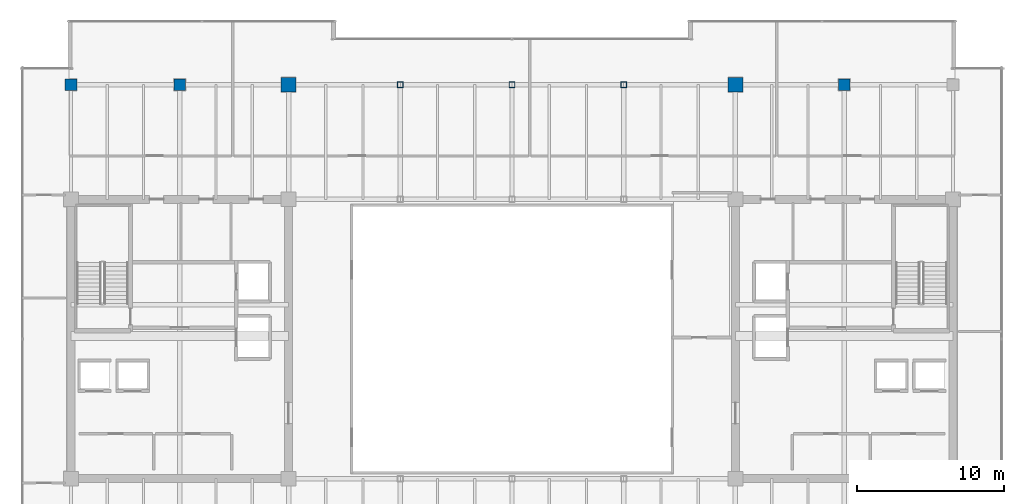
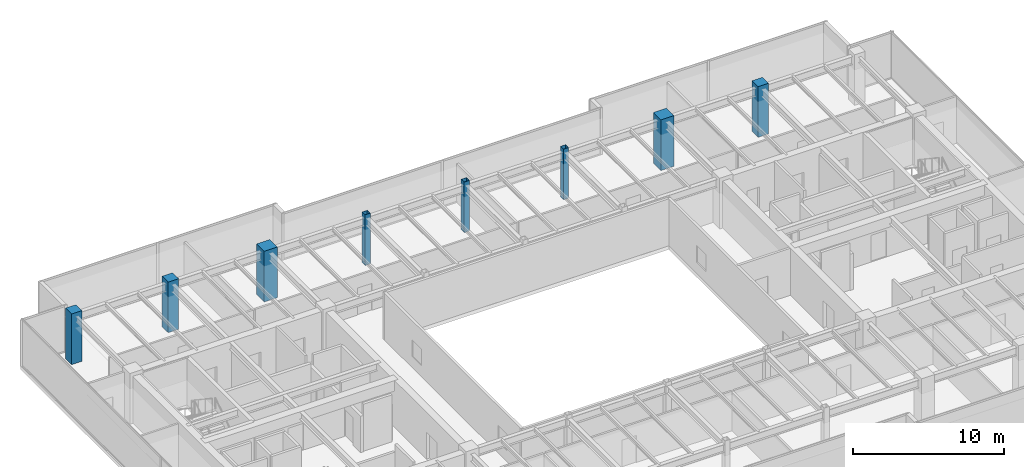
# One storey, part 3 of 35: 8 columns.
"""IFC4 building model written with IfcOpenShell, lengths in metres."""

import ifcopenshell
import ifcopenshell.guid

model = None  # the IFC model being written
_history = None  # IfcOwnerHistory: only IFC2X3 demands one
_inside = {}  # id of a spatial element -> (the spatial element, [elements in it])
_under = {}  # id of a project, library or spatial element -> (it, [spatial elements below it])
_declared = {}  # id of a project -> (the project, [libraries it declares])
_typed = {}  # id of a type object -> (the type object, [elements of that type])
_made_of = {}  # id of a material, layer set ... -> (it, [elements and type objects made of it])


def new_model(schema):
    """Start an empty IFC model of exactly this schema.

    Asked for "IFC4X3", IfcOpenShell would pick the latest addendum, in which some entities
    have other attributes; the version numbers below select the first issue.
    IFC2X3 requires an IfcOwnerHistory on every rooted entity: one is made here for all.
    """
    global model, _history
    if schema == "IFC4X3":
        model = ifcopenshell.file(schema_version=(4, 3, 0, 0))
    else:
        model = ifcopenshell.file(schema=schema)
    _inside.clear()
    _under.clear()
    _declared.clear()
    _typed.clear()
    _made_of.clear()
    _history = None
    if model.schema == "IFC2X3":
        org = make("IfcOrganization", Name="unknown")
        user = make(
            "IfcPersonAndOrganization",
            ThePerson=make("IfcPerson", FamilyName="unknown"),
            TheOrganization=org,
        )
        app = make(
            "IfcApplication",
            ApplicationDeveloper=org,
            Version="unknown",
            ApplicationFullName="unknown",
            ApplicationIdentifier="unknown",
        )
        _history = make(
            "IfcOwnerHistory",
            OwningUser=user,
            OwningApplication=app,
            ChangeAction="ADDED",
            CreationDate=0,
        )
    return model


def make(cls, **values):
    """One entity of the class cls with the attributes given. An attribute that is None is left unset."""
    return model.create_entity(
        cls, **{name: value for name, value in values.items() if value is not None}
    )


def rooted(cls, **values):
    """An entity with a GlobalId (a new one), such as an element, a storey or a relation."""
    return make(cls, GlobalId=ifcopenshell.guid.new(), OwnerHistory=_history, **values)


def si_unit(unit_type, name, prefix=None):
    """IfcSIUnit, for example si_unit("LENGTHUNIT", "METRE", prefix="MILLI")."""
    return make("IfcSIUnit", UnitType=unit_type, Prefix=prefix, Name=name)


def assignment(units):
    """IfcUnitAssignment: the units of a project."""
    return None if units is None else make("IfcUnitAssignment", Units=units)


def point(xyz):
    """IfcCartesianPoint."""
    return None if xyz is None else make("IfcCartesianPoint", Coordinates=xyz)


def direction(xyz):
    """IfcDirection."""
    return None if xyz is None else make("IfcDirection", DirectionRatios=xyz)


def frame(location, z_axis=None, x_axis=None):
    """IfcAxis2Placement3D, a coordinate frame: its origin and axes. An axis left out is left unset."""
    return make(
        "IfcAxis2Placement3D",
        Location=point(location),
        Axis=direction(z_axis),
        RefDirection=direction(x_axis),
    )


def frame_2d(location, x_axis=None):
    """IfcAxis2Placement2D, a coordinate frame in the plane: its origin and x axis."""
    return make(
        "IfcAxis2Placement2D", Location=point(location), RefDirection=direction(x_axis)
    )


def origin():
    """The frame at (0, 0, 0) with its axes left unset."""
    return frame((0.0, 0.0, 0.0))


def origin_2d():
    """The frame at (0, 0) in the plane with its x axis left unset."""
    return frame_2d((0.0, 0.0))


def place(relative_to, where):
    """IfcLocalPlacement: puts the frame where relative to a parent placement (None: the world)."""
    return make(
        "IfcLocalPlacement", PlacementRelTo=relative_to, RelativePlacement=where
    )


def context(
    kind, dimensions, precision=None, world=None, true_north=None, identifier=None
):
    """IfcGeometricRepresentationContext, for example the 3D "Model" context."""
    return make(
        "IfcGeometricRepresentationContext",
        ContextIdentifier=identifier,
        ContextType=kind,
        CoordinateSpaceDimension=dimensions,
        Precision=precision,
        WorldCoordinateSystem=world,
        TrueNorth=true_north,
    )


def subcontext(parent, identifier, kind, view, scale=None):
    """IfcGeometricRepresentationSubContext, for example "Body" below "Model"."""
    return make(
        "IfcGeometricRepresentationSubContext",
        ContextIdentifier=identifier,
        ContextType=kind,
        ParentContext=parent,
        TargetScale=scale,
        TargetView=view,
    )


def project(units=None, contexts=None):
    """IfcProject with its units and contexts."""
    return rooted(
        "IfcProject",
        Name="project",
        RepresentationContexts=contexts,
        UnitsInContext=assignment(units),
    )


def spatial(cls, under=None, at=None, **own):
    """A site, building, storey or space (cls), placed at a placement, below another one or the project."""
    s = rooted(cls, ObjectPlacement=at, **own)
    if under is not None:
        _under.setdefault(under.id(), (under, []))[1].append(s)
    return s


def profile(cls, at=None, kind="AREA", **sizes):
    """A parametric profile (cls). Its sizes go by their IFC names, for example OverallWidth=200.0."""
    return make(cls, ProfileType=kind, Position=at, **sizes)


def rectangle(**sizes):
    """IfcRectangleProfileDef."""
    return profile("IfcRectangleProfileDef", **sizes)


def hollow_rectangle(**sizes):
    """IfcRectangleHollowProfileDef."""
    return profile("IfcRectangleHollowProfileDef", **sizes)


def extrude(swept, where, along, depth):
    """IfcExtrudedAreaSolid: the profile swept, set in the frame where, extruded along a direction by depth."""
    return make(
        "IfcExtrudedAreaSolid",
        SweptArea=swept,
        Position=where,
        ExtrudedDirection=direction(along),
        Depth=depth,
    )


def shape(context_of_items, identifier, shape_type, items):
    """IfcShapeRepresentation: the items that make up one representation, for example the "Body"."""
    return make(
        "IfcShapeRepresentation",
        ContextOfItems=context_of_items,
        RepresentationIdentifier=identifier,
        RepresentationType=shape_type,
        Items=items,
    )


def source(mapping_origin, context_of_items, identifier, shape_type, items):
    """IfcRepresentationMap: a shape defined once, which mapped items show again and again."""
    return make(
        "IfcRepresentationMap",
        MappingOrigin=mapping_origin,
        MappedRepresentation=shape(context_of_items, identifier, shape_type, items),
    )


def transform(
    local_origin,
    x_axis=None,
    y_axis=None,
    z_axis=None,
    scale=None,
    scale2=None,
    scale3=None,
    uniform=True,
):
    """IfcCartesianTransformationOperator3D, or its non-uniform kind. x_axis, y_axis, z_axis: its Axis1, 2, 3."""
    if uniform:
        return make(
            "IfcCartesianTransformationOperator3D",
            Axis1=direction(x_axis),
            Axis2=direction(y_axis),
            LocalOrigin=point(local_origin),
            Scale=scale,
            Axis3=direction(z_axis),
        )
    return make(
        "IfcCartesianTransformationOperator3DnonUniform",
        Axis1=direction(x_axis),
        Axis2=direction(y_axis),
        LocalOrigin=point(local_origin),
        Scale=scale,
        Axis3=direction(z_axis),
        Scale2=scale2,
        Scale3=scale3,
    )


def mapped(mapping_source, mapping_target):
    """IfcMappedItem: shows the shape of a source again, moved by a transform."""
    return make(
        "IfcMappedItem", MappingSource=mapping_source, MappingTarget=mapping_target
    )


def material(Name=None, Category=None):
    """IfcMaterial."""
    return make("IfcMaterial", Name=Name, Category=Category)


def material_profile(
    of_material, cross_section, Name=None, Category=None, Priority=None
):
    """IfcMaterialProfile: a cross section and its material."""
    return make(
        "IfcMaterialProfile",
        Name=Name,
        Material=of_material,
        Profile=cross_section,
        Priority=Priority,
        Category=Category,
    )


def profile_set(profiles, Name=None, composite=None):
    """IfcMaterialProfileSet."""
    return make(
        "IfcMaterialProfileSet",
        Name=Name,
        MaterialProfiles=profiles,
        CompositeProfile=composite,
    )


def made_of(thing, what):
    """Note that an element or type object is made of a material, layer set ...; save() writes the relation."""
    if what is not None:
        _made_of.setdefault(what.id(), (what, []))[1].append(thing)
    return thing


def type_object(cls, material=None, **own):
    """A type object (cls), such as IfcWallType, which elements share."""
    return made_of(rooted(cls, **own), material)


def type_shapes(of_type, sources):
    """Give a type object the sources (RepresentationMaps) that its elements show as mapped items."""
    of_type.RepresentationMaps = sources


def element(
    cls,
    number,
    at=None,
    inside=None,
    cuts=None,
    type_object=None,
    material=None,
    context=None,
    identifier="Body",
    shape_type=None,
    held_by="IfcProductDefinitionShape",
    body=None,
    shapes=None,
    **own,
):
    """One element of the class cls, such as IfcWall. Its Tag is "e" and its number.

    at: its placement. inside: the storey or other place that contains it. cuts: it is an
    opening in that element (IfcRelVoidsElement). A single representation is given by context,
    identifier, shape_type and body (its items); several are given by shapes. held_by: the class
    of the entity that holds the representations. save() writes the other relations.
    """
    e = rooted(cls, Tag="e%d" % number, ObjectPlacement=at, **own)
    if body is not None:
        shapes = [shape(context, identifier, shape_type, body)]
    if shapes is not None:
        e.Representation = make(held_by, Representations=shapes)
    if inside is not None:
        _inside.setdefault(inside.id(), (inside, []))[1].append(e)
    if cuts is not None:
        rooted(
            "IfcRelVoidsElement", RelatingBuildingElement=cuts, RelatedOpeningElement=e
        )
    if type_object is not None:
        _typed.setdefault(type_object.id(), (type_object, []))[1].append(e)
    return made_of(e, material)


def aggregate(whole, parts):
    """IfcRelAggregates: a whole, such as a stair, and the parts it consists of."""
    return rooted("IfcRelAggregates", RelatingObject=whole, RelatedObjects=parts)


def save(model, path):
    """Write the relations noted so far, then the file.

    IfcRelAggregates (storeys below a building ...), IfcRelContainedInSpatialStructure (elements
    in a storey), IfcRelDefinesByType, IfcRelAssociatesMaterial and IfcRelDeclares: one each for
    every whole, place, type object, material and project.
    """
    for whole, parts in _under.values():
        aggregate(whole, parts)
    for where, things in _inside.values():
        rooted(
            "IfcRelContainedInSpatialStructure",
            RelatedElements=things,
            RelatingStructure=where,
        )
    for kind, things in _typed.values():
        rooted("IfcRelDefinesByType", RelatedObjects=things, RelatingType=kind)
    for what, things in _made_of.values():
        rooted("IfcRelAssociatesMaterial", RelatedObjects=things, RelatingMaterial=what)
    for by, libraries in _declared.values():
        rooted("IfcRelDeclares", RelatingContext=by, RelatedDefinitions=libraries)
    model.write(path)


model = new_model("IFC4")

# Units and contexts
model_context = context("Model", 3, precision=1e-05, world=origin(), true_north=direction((0.0, 1.0)))
body_context = subcontext(model_context, "Body", "Model", "MODEL_VIEW")
ifc_project = project(units=[si_unit("LENGTHUNIT", "METRE"), si_unit("AREAUNIT", "SQUARE_METRE"), si_unit("VOLUMEUNIT", "CUBIC_METRE"), si_unit("PLANEANGLEUNIT", "RADIAN"), si_unit("MASSUNIT", "GRAM", prefix="KILO")], contexts=[model_context])

# Site, building, storey
site_placement = place(None, origin())
site = spatial("IfcSite", under=ifc_project, at=site_placement, CompositionType="ELEMENT")
building_placement = place(site_placement, origin())
building = spatial("IfcBuilding", under=site, at=building_placement, Name="Haelvirn Gate Laboratories", CompositionType="ELEMENT")
storey_placement = place(building_placement, frame((0.0, 0.0, 221.89990234375)))
storey = spatial("IfcBuildingStorey", under=building, at=storey_placement, Name="L53", CompositionType="ELEMENT", Elevation=221.89990234375)

# Columns
ifc_material_1 = material(Name="Concrete C60/75", Category="concrete")
ifc_material_profile_1 = material_profile(ifc_material_1, rectangle(XDim=1.0, YDim=1.0, at=origin_2d()), Name="RC-1000x1000")
ifc_profile_set_1 = profile_set([ifc_material_profile_1], Name="Concrete C60/75")
column_type_1 = type_object("IfcColumnType", Name="COL-RC-1000", PredefinedType="COLUMN", material=ifc_profile_set_1)
shared_shape_1 = source(origin(), body_context, "Body", "SweptSolid", [
    extrude(rectangle(XDim=1.0, YDim=1.0, at=origin_2d()), origin(), (0.0, 0.0, 1.0), 4.10009765625),
])
type_shapes(column_type_1, [shared_shape_1])
for number, where, z_axis, x_axis, name in (
    (1, (22.199951171875, 41.60009765625, 0.0), (0.0, 0.0, 1.0), (1.0, 0.0, 0.0), "L53 Column 4G"),
    (2, (52.60009765625, 41.60009765625, 0.0), (0.0, 0.0, 1.0), (1.0, 0.0, 0.0), "L53 Column 8G"),
):
    element("IfcColumn", number, at=place(storey_placement, frame(where, z_axis=z_axis, x_axis=x_axis)), inside=storey, type_object=column_type_1, Name=name, PredefinedType="COLUMN", context=body_context, shape_type="MappedRepresentation", body=[
        mapped(shared_shape_1, transform((0.0, 0.0, 0.0), scale=1.0)),
    ])
ifc_material_2 = material(Name="Concrete C50/60", Category="concrete")
ifc_material_profile_2 = material_profile(ifc_material_2, rectangle(XDim=0.800048828125, YDim=0.800048828125, at=origin_2d()), Name="RC-800x800")
ifc_profile_set_2 = profile_set([ifc_material_profile_2], Name="Concrete C50/60")
column_type_2 = type_object("IfcColumnType", Name="COL-RC-800", PredefinedType="COLUMN", material=ifc_profile_set_2)
shared_shape_2 = source(origin(), body_context, "Body", "SweptSolid", [
    extrude(rectangle(XDim=0.800048828125, YDim=0.800048828125, at=origin_2d()), origin(), (0.0, 0.0, 1.0), 4.10009765625),
])
type_shapes(column_type_2, [shared_shape_2])
for number, where, z_axis, x_axis, name in (
    (3, (14.800048828125, 41.60009765625, 0.0), (0.0, 0.0, 1.0), (1.0, 0.0, 0.0), "L53 Column 3G"),
    (4, (60.0, 41.60009765625, 0.0), (0.0, 0.0, 1.0), (1.0, 0.0, 0.0), "L53 Column 9G"),
    (5, (7.39990234375, 41.60009765625, 0.0), (0.0, 0.0, 1.0), (1.0, 0.0, 0.0), "L53 Column 2G"),
):
    element("IfcColumn", number, at=place(storey_placement, frame(where, z_axis=z_axis, x_axis=x_axis)), inside=storey, type_object=column_type_2, Name=name, PredefinedType="COLUMN", context=body_context, shape_type="MappedRepresentation", body=[
        mapped(shared_shape_2, transform((0.0, 0.0, 0.0), scale=1.0)),
    ])
ifc_material_3 = material(Name="Steel SM355", Category="steel")
ifc_material_profile_3 = material_profile(ifc_material_3, hollow_rectangle(XDim=0.39990234375, YDim=0.39990234375, WallThickness=0.01904296875, at=origin_2d()), Name="BOX-400x400x19")
ifc_profile_set_3 = profile_set([ifc_material_profile_3], Name="Steel SM355")
column_type_3 = type_object("IfcColumnType", Name="COL-BOX-400", PredefinedType="COLUMN", material=ifc_profile_set_3)
shared_shape_3 = source(origin(), body_context, "Body", "SweptSolid", [
    extrude(hollow_rectangle(XDim=0.39990234375, YDim=0.39990234375, WallThickness=0.01904296875, at=origin_2d()), origin(), (0.0, 0.0, 1.0), 4.10009765625),
])
type_shapes(column_type_3, [shared_shape_3])
for number, where, z_axis, x_axis, name in (
    (6, (29.800048828125, 41.60009765625, 0.0), (0.0, 0.0, 1.0), (1.0, 0.0, 0.0), "L53 Column 5G"),
    (7, (37.39990234375, 41.60009765625, 0.0), (0.0, 0.0, 1.0), (1.0, 0.0, 0.0), "L53 Column 6G"),
    (8, (45.0, 41.60009765625, 0.0), (0.0, 0.0, 1.0), (1.0, 0.0, 0.0), "L53 Column 7G"),
):
    element("IfcColumn", number, at=place(storey_placement, frame(where, z_axis=z_axis, x_axis=x_axis)), inside=storey, type_object=column_type_3, Name=name, PredefinedType="COLUMN", context=body_context, shape_type="MappedRepresentation", body=[
        mapped(shared_shape_3, transform((0.0, 0.0, 0.0), scale=1.0)),
    ])

save(model, "model.ifc")
